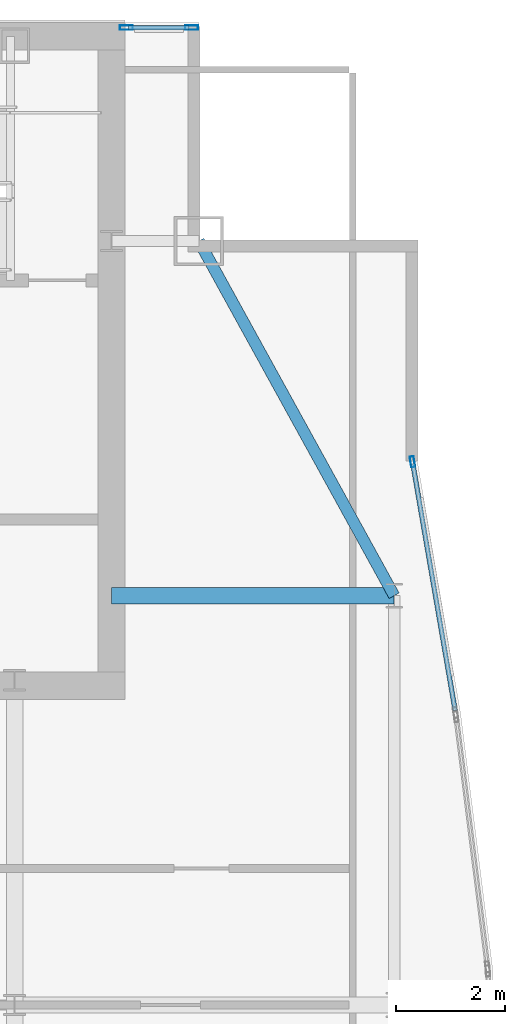
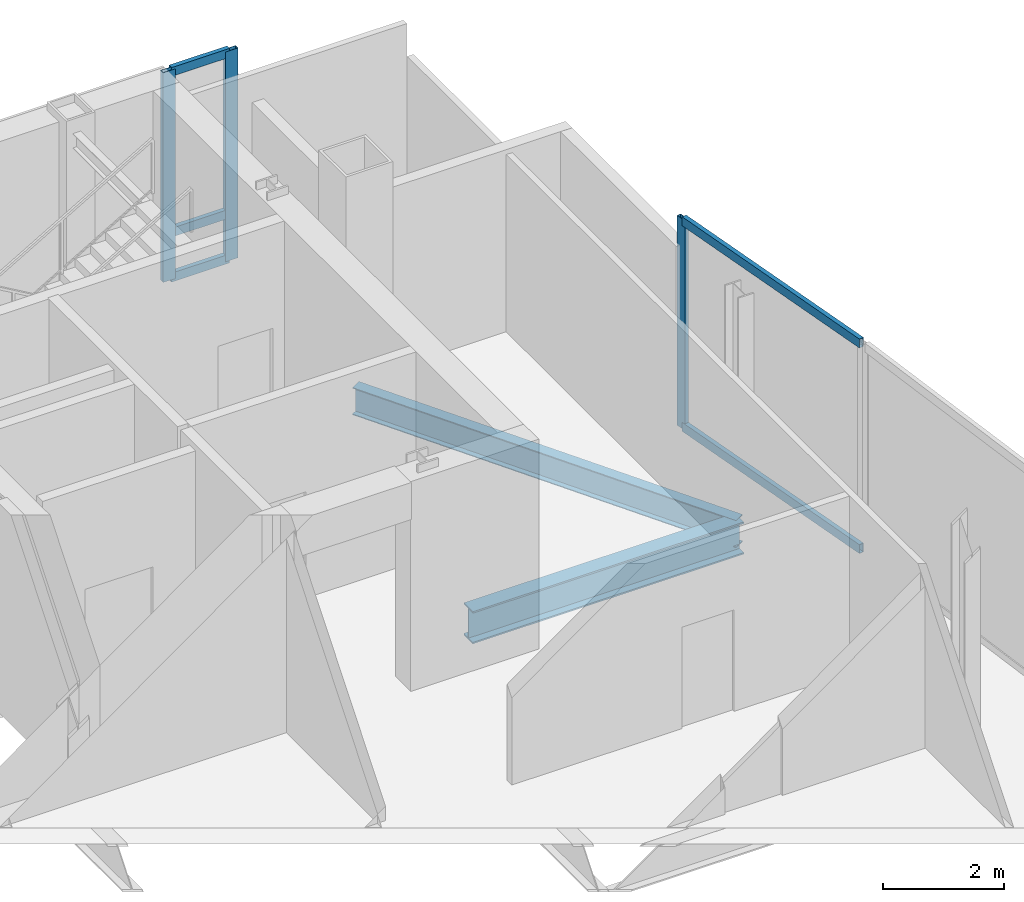
# One storey, part 20 of 27: 8 members, 2 beams, 2 elements without a shape of their own.
"""IFC4 building model written with IfcOpenShell, lengths in metres."""

from ifc_helpers import new_model, si_unit, direction, frame, origin, origin_2d, place, context, subcontext, project, spatial, hollow_rectangle, i_section, extrude, material, material_profile, profile_set, type_object, element, aggregate, save


model = new_model("IFC4")

# Units and contexts
model_context = context("Model", 3, precision=1e-05, world=origin(), true_north=direction((0.0, 1.0)))
body_context = subcontext(model_context, "Body", "Model", "MODEL_VIEW")
ifc_project = project(units=[si_unit("LENGTHUNIT", "METRE"), si_unit("AREAUNIT", "SQUARE_METRE"), si_unit("VOLUMEUNIT", "CUBIC_METRE"), si_unit("PLANEANGLEUNIT", "RADIAN"), si_unit("MASSUNIT", "GRAM", prefix="KILO")], contexts=[model_context])

# Site, building, storey
site_placement = place(None, origin())
site = spatial("IfcSite", under=ifc_project, at=site_placement, CompositionType="ELEMENT")
building_placement = place(site_placement, origin())
building = spatial("IfcBuilding", under=site, at=building_placement, Name="Khoronbel Lancet Exchange", CompositionType="ELEMENT")
storey_placement = place(building_placement, frame((0.0, 0.0, 305.800048828125)))
storey = spatial("IfcBuildingStorey", under=building, at=storey_placement, Name="L79", CompositionType="ELEMENT", Elevation=305.800048828125)

# Beams
ifc_material_1 = material(Name="Steel S355", Category="steel")
ifc_material_profile_1 = material_profile(ifc_material_1, i_section(OverallWidth=0.300048828125, OverallDepth=0.64990234375, WebThickness=0.01611328125, FlangeThickness=0.031005859375, at=origin_2d()), Name="HEB 650")
ifc_profile_set_1 = profile_set([ifc_material_profile_1], Name="Steel S355")
beam_type_1 = type_object("IfcBeamType", Name="BM-BG4", PredefinedType="BEAM", material=ifc_profile_set_1)
beam_1_placement = place(storey_placement, frame((56.449951171875, 43.199951171875, -0.545166015625), z_axis=(1.0, 0.0, 0.0), x_axis=(0.0, 1.0, 0.0)))
element("IfcBeam", 1, at=beam_1_placement, inside=storey, type_object=beam_type_1, Name="Level L79 east lens tie girder LG3E", PredefinedType="BEAM", context=body_context, shape_type="SweptSolid", body=[
    extrude(i_section(OverallWidth=0.300048828125, OverallDepth=0.64990234375, WebThickness=0.01611328125, FlangeThickness=0.031005859375, at=origin_2d()), origin(), (0.0, 0.0, 1.0), 5.179931640625),
])
ifc_material_profile_2 = material_profile(ifc_material_1, i_section(OverallWidth=0.2099609375, OverallDepth=0.550048828125, WebThickness=0.010986328125, FlangeThickness=0.01708984375, at=origin_2d()), Name="IPE 550")
ifc_profile_set_2 = profile_set([ifc_material_profile_2], Name="Steel S355")
beam_type_2 = type_object("IfcBeamType", Name="BM-BSP3", PredefinedType="SPANDREL", material=ifc_profile_set_2)
beam_2_placement = place(storey_placement, frame((61.6298828125, 43.199951171875, -0.4951171875), z_axis=(-0.482418808117, 0.875940690672, 0.0), x_axis=(-0.875940690672, -0.482418808117, 0.0)))
element("IfcBeam", 2, at=beam_2_placement, inside=storey, type_object=beam_type_2, Name="Level L79 perimeter spandrel beam SP13", PredefinedType="SPANDREL", context=body_context, shape_type="SweptSolid", body=[
    extrude(i_section(OverallWidth=0.2099609375, OverallDepth=0.550048828125, WebThickness=0.010986328125, FlangeThickness=0.01708984375, at=origin_2d()), origin(), (0.0, 0.0, 1.0), 7.420654296875),
])

# Curtain wall, members
ifc_material_2 = material(Name="Low-E Solar Control Insulating Glass", Category="glass")
curtain_wall_type_1 = type_object("IfcCurtainWallType", Name="CW-3", PredefinedType="NOTDEFINED", material=ifc_material_2)
curtain_wall_1_placement = place(storey_placement, origin())
curtain_wall_1 = element("IfcCurtainWall", 3, at=curtain_wall_1_placement, inside=storey, type_object=curtain_wall_type_1, Name="Unitised curtain wall CW-L79-NEFLK", PredefinedType="NOTDEFINED")
ifc_material_3 = material(Name="Bronze-Anodised Aluminium 6063-T6", Category="aluminium")
ifc_material_profile_3 = material_profile(ifc_material_3, hollow_rectangle(XDim=0.0849609375, YDim=0.239990234375, WallThickness=0.006103515625, at=origin_2d()), Name="ALU MULLION 85x240")
ifc_profile_set_3 = profile_set([ifc_material_profile_3], Name="Bronze-Anodised Aluminium 6063-T6")
member_type_1 = type_object("IfcMemberType", Name="MEM-CWM1", PredefinedType="MULLION", material=ifc_profile_set_3)
member_1_placement = place(storey_placement, frame((57.91748046875, 53.610107421875, 0.0), z_axis=(0.0, 0.0, 1.0), x_axis=(0.0, -1.0, 0.0)))
member_1 = element("IfcMember", 4, at=member_1_placement, type_object=member_type_1, Name="CW3 mullion 1", PredefinedType="MULLION", context=body_context, shape_type="SweptSolid", body=[
    extrude(hollow_rectangle(XDim=0.0849609375, YDim=0.239990234375, WallThickness=0.006103515625, at=origin_2d()), origin(), (0.0, 0.0, 1.0), 4.239990234375),
])
member_2_placement = place(storey_placement, frame((56.722412109375, 53.610107421875, 0.0), z_axis=(0.0, 0.0, 1.0), x_axis=(0.0, -1.0, 0.0)))
member_2 = element("IfcMember", 5, at=member_2_placement, type_object=member_type_1, Name="CW3 mullion 2", PredefinedType="MULLION", context=body_context, shape_type="SweptSolid", body=[
    extrude(hollow_rectangle(XDim=0.0849609375, YDim=0.239990234375, WallThickness=0.006103515625, at=origin_2d()), origin(), (0.0, 0.0, 1.0), 4.239990234375),
])

# Curtain wall, member
curtain_wall_type_2 = type_object("IfcCurtainWallType", Name="CW-4", PredefinedType="NOTDEFINED", material=ifc_material_2)
curtain_wall_2_placement = place(storey_placement, origin())
curtain_wall_2 = element("IfcCurtainWall", 6, at=curtain_wall_2_placement, inside=storey, type_object=curtain_wall_type_2, Name="Unitised curtain wall CW-L79-E17", PredefinedType="NOTDEFINED")
ifc_material_profile_4 = material_profile(ifc_material_3, hollow_rectangle(XDim=0.074951171875, YDim=0.199951171875, WallThickness=0.0048828125, at=origin_2d()), Name="ALU MULLION 75x200")
ifc_profile_set_4 = profile_set([ifc_material_profile_4], Name="Bronze-Anodised Aluminium 6063-T6")
member_type_2 = type_object("IfcMemberType", Name="MEM-CWM2", PredefinedType="MULLION", material=ifc_profile_set_4)
member_3_placement = place(storey_placement, frame((61.96630859375, 45.6552734375, 0.0), z_axis=(0.0, 0.0, 1.0), x_axis=(0.985620448013, 0.168974354443, 0.0)))
member_3 = element("IfcMember", 7, at=member_3_placement, type_object=member_type_2, Name="CW4 mullion 1", PredefinedType="MULLION", context=body_context, shape_type="SweptSolid", body=[
    extrude(hollow_rectangle(XDim=0.074951171875, YDim=0.199951171875, WallThickness=0.0048828125, at=origin_2d()), origin(), (0.0, 0.0, 1.0), 4.239990234375),
])

# Member
ifc_material_profile_5 = material_profile(ifc_material_3, hollow_rectangle(XDim=0.0849609375, YDim=0.179931640625, WallThickness=0.0048828125, at=origin_2d()), Name="ALU TRANSOM 85x180")
ifc_profile_set_5 = profile_set([ifc_material_profile_5], Name="Bronze-Anodised Aluminium 6063-T6")
member_type_3 = type_object("IfcMemberType", Name="MEM-CWT1", PredefinedType="USERDEFINED", material=ifc_profile_set_5)
member_4_placement = place(storey_placement, frame((57.875, 53.610107421875, 0.04248046875), z_axis=(-1.0, 0.0, 0.0), x_axis=(0.0, -1.0, 0.0)))
member_4 = element("IfcMember", 8, at=member_4_placement, type_object=member_type_3, Name="CW3 transom 1.1", ObjectType="TRANSOM", PredefinedType="USERDEFINED", context=body_context, shape_type="SweptSolid", body=[
    extrude(hollow_rectangle(XDim=0.0849609375, YDim=0.179931640625, WallThickness=0.0048828125, at=origin_2d()), origin(), (0.0, 0.0, 1.0), 1.110107421875),
])

member_5_placement = place(storey_placement, frame((57.875, 53.610107421875, 0.949951171875), z_axis=(-1.0, 0.0, 0.0), x_axis=(0.0, -1.0, 0.0)))
member_5 = element("IfcMember", 9, at=member_5_placement, type_object=member_type_3, Name="CW3 transom 1.2", ObjectType="TRANSOM", PredefinedType="USERDEFINED", context=body_context, shape_type="SweptSolid", body=[
    extrude(hollow_rectangle(XDim=0.0849609375, YDim=0.179931640625, WallThickness=0.0048828125, at=origin_2d()), origin(), (0.0, 0.0, 1.0), 1.110107421875),
])

member_6_placement = place(storey_placement, frame((57.875, 53.610107421875, 4.197509765625), z_axis=(-1.0, 0.0, 0.0), x_axis=(0.0, -1.0, 0.0)))
member_6 = element("IfcMember", 10, at=member_6_placement, type_object=member_type_3, Name="CW3 transom 1.3", ObjectType="TRANSOM", PredefinedType="USERDEFINED", context=body_context, shape_type="SweptSolid", body=[
    extrude(hollow_rectangle(XDim=0.0849609375, YDim=0.179931640625, WallThickness=0.0048828125, at=origin_2d()), origin(), (0.0, 0.0, 1.0), 1.110107421875),
])

aggregate(curtain_wall_1, [member_1, member_2, member_4, member_5, member_6])

member_7_placement = place(storey_placement, frame((61.97265625, 45.618408203125, 0.04248046875), z_axis=(0.168968243665, -0.985621495622, 0.0), x_axis=(0.985621495622, 0.168968243665, 0.0)))
member_7 = element("IfcMember", 11, at=member_7_placement, type_object=member_type_3, Name="CW4 transom 1.1", ObjectType="TRANSOM", PredefinedType="USERDEFINED", context=body_context, shape_type="SweptSolid", body=[
    extrude(hollow_rectangle(XDim=0.0849609375, YDim=0.179931640625, WallThickness=0.0048828125, at=origin_2d()), origin(), (0.0, 0.0, 1.0), 4.59033203125),
])

member_8_placement = place(storey_placement, frame((61.97265625, 45.618408203125, 4.197509765625), z_axis=(0.168968243665, -0.985621495622, 0.0), x_axis=(0.985621495622, 0.168968243665, 0.0)))
member_8 = element("IfcMember", 12, at=member_8_placement, type_object=member_type_3, Name="CW4 transom 1.2", ObjectType="TRANSOM", PredefinedType="USERDEFINED", context=body_context, shape_type="SweptSolid", body=[
    extrude(hollow_rectangle(XDim=0.0849609375, YDim=0.179931640625, WallThickness=0.0048828125, at=origin_2d()), origin(), (0.0, 0.0, 1.0), 4.59033203125),
])

aggregate(curtain_wall_2, [member_3, member_7, member_8])

save(model, "model.ifc")
